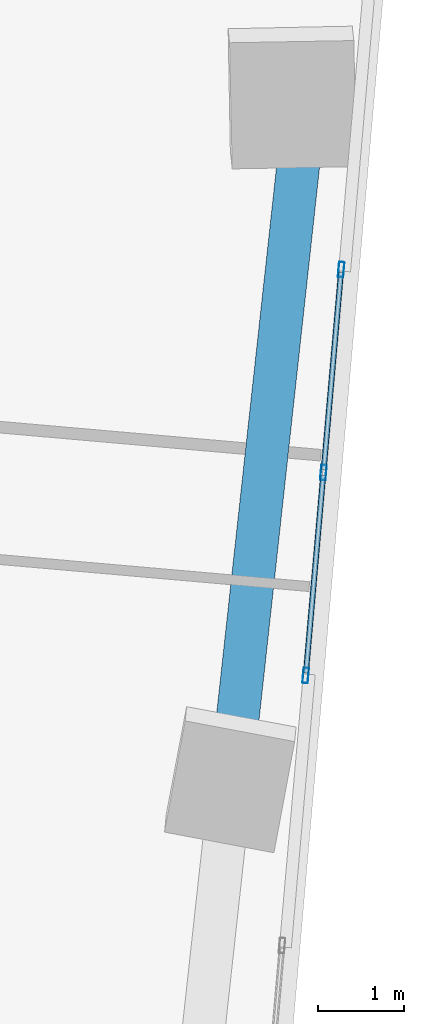
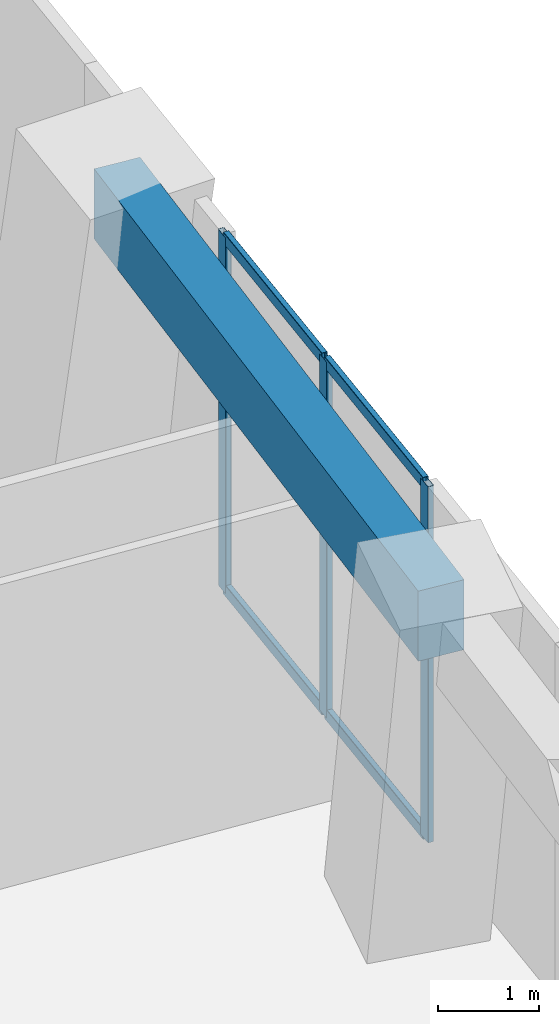
# One storey, part 12 of 24: 7 members, 1 beam, 1 element without a shape of its own.
"""IFC4 building model written with IfcOpenShell, lengths in metres."""

import ifcopenshell
import ifcopenshell.guid

model = None  # the IFC model being written
_history = None  # IfcOwnerHistory: only IFC2X3 demands one
_inside = {}  # id of a spatial element -> (the spatial element, [elements in it])
_under = {}  # id of a project, library or spatial element -> (it, [spatial elements below it])
_declared = {}  # id of a project -> (the project, [libraries it declares])
_typed = {}  # id of a type object -> (the type object, [elements of that type])
_made_of = {}  # id of a material, layer set ... -> (it, [elements and type objects made of it])


def new_model(schema):
    """Start an empty IFC model of exactly this schema.

    Asked for "IFC4X3", IfcOpenShell would pick the latest addendum, in which some entities
    have other attributes; the version numbers below select the first issue.
    IFC2X3 requires an IfcOwnerHistory on every rooted entity: one is made here for all.
    """
    global model, _history
    if schema == "IFC4X3":
        model = ifcopenshell.file(schema_version=(4, 3, 0, 0))
    else:
        model = ifcopenshell.file(schema=schema)
    _inside.clear()
    _under.clear()
    _declared.clear()
    _typed.clear()
    _made_of.clear()
    _history = None
    if model.schema == "IFC2X3":
        org = make("IfcOrganization", Name="unknown")
        user = make(
            "IfcPersonAndOrganization",
            ThePerson=make("IfcPerson", FamilyName="unknown"),
            TheOrganization=org,
        )
        app = make(
            "IfcApplication",
            ApplicationDeveloper=org,
            Version="unknown",
            ApplicationFullName="unknown",
            ApplicationIdentifier="unknown",
        )
        _history = make(
            "IfcOwnerHistory",
            OwningUser=user,
            OwningApplication=app,
            ChangeAction="ADDED",
            CreationDate=0,
        )
    return model


def make(cls, **values):
    """One entity of the class cls with the attributes given. An attribute that is None is left unset."""
    return model.create_entity(
        cls, **{name: value for name, value in values.items() if value is not None}
    )


def rooted(cls, **values):
    """An entity with a GlobalId (a new one), such as an element, a storey or a relation."""
    return make(cls, GlobalId=ifcopenshell.guid.new(), OwnerHistory=_history, **values)


def si_unit(unit_type, name, prefix=None):
    """IfcSIUnit, for example si_unit("LENGTHUNIT", "METRE", prefix="MILLI")."""
    return make("IfcSIUnit", UnitType=unit_type, Prefix=prefix, Name=name)


def assignment(units):
    """IfcUnitAssignment: the units of a project."""
    return None if units is None else make("IfcUnitAssignment", Units=units)


def point(xyz):
    """IfcCartesianPoint."""
    return None if xyz is None else make("IfcCartesianPoint", Coordinates=xyz)


def direction(xyz):
    """IfcDirection."""
    return None if xyz is None else make("IfcDirection", DirectionRatios=xyz)


def frame(location, z_axis=None, x_axis=None):
    """IfcAxis2Placement3D, a coordinate frame: its origin and axes. An axis left out is left unset."""
    return make(
        "IfcAxis2Placement3D",
        Location=point(location),
        Axis=direction(z_axis),
        RefDirection=direction(x_axis),
    )


def frame_2d(location, x_axis=None):
    """IfcAxis2Placement2D, a coordinate frame in the plane: its origin and x axis."""
    return make(
        "IfcAxis2Placement2D", Location=point(location), RefDirection=direction(x_axis)
    )


def origin():
    """The frame at (0, 0, 0) with its axes left unset."""
    return frame((0.0, 0.0, 0.0))


def origin_2d():
    """The frame at (0, 0) in the plane with its x axis left unset."""
    return frame_2d((0.0, 0.0))


def place(relative_to, where):
    """IfcLocalPlacement: puts the frame where relative to a parent placement (None: the world)."""
    return make(
        "IfcLocalPlacement", PlacementRelTo=relative_to, RelativePlacement=where
    )


def context(
    kind, dimensions, precision=None, world=None, true_north=None, identifier=None
):
    """IfcGeometricRepresentationContext, for example the 3D "Model" context."""
    return make(
        "IfcGeometricRepresentationContext",
        ContextIdentifier=identifier,
        ContextType=kind,
        CoordinateSpaceDimension=dimensions,
        Precision=precision,
        WorldCoordinateSystem=world,
        TrueNorth=true_north,
    )


def subcontext(parent, identifier, kind, view, scale=None):
    """IfcGeometricRepresentationSubContext, for example "Body" below "Model"."""
    return make(
        "IfcGeometricRepresentationSubContext",
        ContextIdentifier=identifier,
        ContextType=kind,
        ParentContext=parent,
        TargetScale=scale,
        TargetView=view,
    )


def project(units=None, contexts=None):
    """IfcProject with its units and contexts."""
    return rooted(
        "IfcProject",
        Name="project",
        RepresentationContexts=contexts,
        UnitsInContext=assignment(units),
    )


def spatial(cls, under=None, at=None, **own):
    """A site, building, storey or space (cls), placed at a placement, below another one or the project."""
    s = rooted(cls, ObjectPlacement=at, **own)
    if under is not None:
        _under.setdefault(under.id(), (under, []))[1].append(s)
    return s


def profile(cls, at=None, kind="AREA", **sizes):
    """A parametric profile (cls). Its sizes go by their IFC names, for example OverallWidth=200.0."""
    return make(cls, ProfileType=kind, Position=at, **sizes)


def rectangle(**sizes):
    """IfcRectangleProfileDef."""
    return profile("IfcRectangleProfileDef", **sizes)


def hollow_rectangle(**sizes):
    """IfcRectangleHollowProfileDef."""
    return profile("IfcRectangleHollowProfileDef", **sizes)


def extrude(swept, where, along, depth):
    """IfcExtrudedAreaSolid: the profile swept, set in the frame where, extruded along a direction by depth."""
    return make(
        "IfcExtrudedAreaSolid",
        SweptArea=swept,
        Position=where,
        ExtrudedDirection=direction(along),
        Depth=depth,
    )


def shape(context_of_items, identifier, shape_type, items):
    """IfcShapeRepresentation: the items that make up one representation, for example the "Body"."""
    return make(
        "IfcShapeRepresentation",
        ContextOfItems=context_of_items,
        RepresentationIdentifier=identifier,
        RepresentationType=shape_type,
        Items=items,
    )


def source(mapping_origin, context_of_items, identifier, shape_type, items):
    """IfcRepresentationMap: a shape defined once, which mapped items show again and again."""
    return make(
        "IfcRepresentationMap",
        MappingOrigin=mapping_origin,
        MappedRepresentation=shape(context_of_items, identifier, shape_type, items),
    )


def transform(
    local_origin,
    x_axis=None,
    y_axis=None,
    z_axis=None,
    scale=None,
    scale2=None,
    scale3=None,
    uniform=True,
):
    """IfcCartesianTransformationOperator3D, or its non-uniform kind. x_axis, y_axis, z_axis: its Axis1, 2, 3."""
    if uniform:
        return make(
            "IfcCartesianTransformationOperator3D",
            Axis1=direction(x_axis),
            Axis2=direction(y_axis),
            LocalOrigin=point(local_origin),
            Scale=scale,
            Axis3=direction(z_axis),
        )
    return make(
        "IfcCartesianTransformationOperator3DnonUniform",
        Axis1=direction(x_axis),
        Axis2=direction(y_axis),
        LocalOrigin=point(local_origin),
        Scale=scale,
        Axis3=direction(z_axis),
        Scale2=scale2,
        Scale3=scale3,
    )


def mapped(mapping_source, mapping_target):
    """IfcMappedItem: shows the shape of a source again, moved by a transform."""
    return make(
        "IfcMappedItem", MappingSource=mapping_source, MappingTarget=mapping_target
    )


def material(Name=None, Category=None):
    """IfcMaterial."""
    return make("IfcMaterial", Name=Name, Category=Category)


def material_profile(
    of_material, cross_section, Name=None, Category=None, Priority=None
):
    """IfcMaterialProfile: a cross section and its material."""
    return make(
        "IfcMaterialProfile",
        Name=Name,
        Material=of_material,
        Profile=cross_section,
        Priority=Priority,
        Category=Category,
    )


def profile_set(profiles, Name=None, composite=None):
    """IfcMaterialProfileSet."""
    return make(
        "IfcMaterialProfileSet",
        Name=Name,
        MaterialProfiles=profiles,
        CompositeProfile=composite,
    )


def made_of(thing, what):
    """Note that an element or type object is made of a material, layer set ...; save() writes the relation."""
    if what is not None:
        _made_of.setdefault(what.id(), (what, []))[1].append(thing)
    return thing


def type_object(cls, material=None, **own):
    """A type object (cls), such as IfcWallType, which elements share."""
    return made_of(rooted(cls, **own), material)


def element(
    cls,
    number,
    at=None,
    inside=None,
    cuts=None,
    type_object=None,
    material=None,
    context=None,
    identifier="Body",
    shape_type=None,
    held_by="IfcProductDefinitionShape",
    body=None,
    shapes=None,
    **own,
):
    """One element of the class cls, such as IfcWall. Its Tag is "e" and its number.

    at: its placement. inside: the storey or other place that contains it. cuts: it is an
    opening in that element (IfcRelVoidsElement). A single representation is given by context,
    identifier, shape_type and body (its items); several are given by shapes. held_by: the class
    of the entity that holds the representations. save() writes the other relations.
    """
    e = rooted(cls, Tag="e%d" % number, ObjectPlacement=at, **own)
    if body is not None:
        shapes = [shape(context, identifier, shape_type, body)]
    if shapes is not None:
        e.Representation = make(held_by, Representations=shapes)
    if inside is not None:
        _inside.setdefault(inside.id(), (inside, []))[1].append(e)
    if cuts is not None:
        rooted(
            "IfcRelVoidsElement", RelatingBuildingElement=cuts, RelatedOpeningElement=e
        )
    if type_object is not None:
        _typed.setdefault(type_object.id(), (type_object, []))[1].append(e)
    return made_of(e, material)


def aggregate(whole, parts):
    """IfcRelAggregates: a whole, such as a stair, and the parts it consists of."""
    return rooted("IfcRelAggregates", RelatingObject=whole, RelatedObjects=parts)


def save(model, path):
    """Write the relations noted so far, then the file.

    IfcRelAggregates (storeys below a building ...), IfcRelContainedInSpatialStructure (elements
    in a storey), IfcRelDefinesByType, IfcRelAssociatesMaterial and IfcRelDeclares: one each for
    every whole, place, type object, material and project.
    """
    for whole, parts in _under.values():
        aggregate(whole, parts)
    for where, things in _inside.values():
        rooted(
            "IfcRelContainedInSpatialStructure",
            RelatedElements=things,
            RelatingStructure=where,
        )
    for kind, things in _typed.values():
        rooted("IfcRelDefinesByType", RelatedObjects=things, RelatingType=kind)
    for what, things in _made_of.values():
        rooted("IfcRelAssociatesMaterial", RelatedObjects=things, RelatingMaterial=what)
    for by, libraries in _declared.values():
        rooted("IfcRelDeclares", RelatingContext=by, RelatedDefinitions=libraries)
    model.write(path)


model = new_model("IFC4")

# Units and contexts
model_context = context("Model", 3, precision=1e-05, world=origin(), true_north=direction((0.0, 1.0)))
body_context = subcontext(model_context, "Body", "Model", "MODEL_VIEW")
ifc_project = project(units=[si_unit("LENGTHUNIT", "METRE"), si_unit("AREAUNIT", "SQUARE_METRE"), si_unit("VOLUMEUNIT", "CUBIC_METRE"), si_unit("PLANEANGLEUNIT", "RADIAN"), si_unit("MASSUNIT", "GRAM", prefix="KILO")], contexts=[model_context])

# Site, building, storey
site_placement = place(None, origin())
site = spatial("IfcSite", under=ifc_project, at=site_placement, CompositionType="ELEMENT")
building_placement = place(site_placement, origin())
building = spatial("IfcBuilding", under=site, at=building_placement, Name="Torre Montelarca", CompositionType="ELEMENT")
storey_placement = place(building_placement, frame((0.0, 0.0, 52.0)))
storey = spatial("IfcBuildingStorey", under=building, at=storey_placement, Name="L11", CompositionType="ELEMENT", Elevation=52.0)

# Beam
ifc_material_1 = material(Name="Concrete C55/67", Category="concrete")
ifc_material_profile_1 = material_profile(ifc_material_1, rectangle(XDim=0.5, YDim=0.85009765625, at=origin_2d()), Name="RCB500X850", Category="concrete")
ifc_profile_set_1 = profile_set([ifc_material_profile_1], Name="Concrete C55/67")
beam_type = type_object("IfcBeamType", Name="BM-SP-RC850-EXT", PredefinedType="SPANDREL", material=ifc_profile_set_1)
shared_shape_1 = source(origin(), body_context, "Body", "SweptSolid", [
    extrude(rectangle(XDim=0.5, YDim=0.85009765625, at=origin_2d()), origin(), (0.0, 0.0, 1.0), 8.0),
])
beam_placement = place(storey_placement, frame((59.771240234375, 27.80859375, 4.135009765625), z_axis=(0.10885711391, 0.994057407171, 0.0), x_axis=(-0.994057407171, 0.10885711391, 0.0)))
element("IfcBeam", 1, at=beam_placement, inside=storey, type_object=beam_type, Name="L11 Grid Girder Y 32.0-40.0 at X=60.0", PredefinedType="SPANDREL", context=body_context, shape_type="MappedRepresentation", body=[
    mapped(shared_shape_1, transform((0.0, 0.0, 0.0), scale=1.0)),
])

# Curtain wall, members
ifc_material_2 = material(Name="Insulated low-E laminated glass", Category="glass")
curtain_wall_type = type_object("IfcCurtainWallType", Name="CW-SYS-Z1", PredefinedType="USERDEFINED", material=ifc_material_2)
curtain_wall_placement = place(storey_placement, origin())
curtain_wall = element("IfcCurtainWall", 2, at=curtain_wall_placement, inside=storey, type_object=curtain_wall_type, Name="L11 Curtain Wall Run CW-T3-L11-E06-B2", ObjectType="UNITISED GLAZING", PredefinedType="USERDEFINED")
ifc_material_3 = material(Name="Anodised aluminium AA 6063-T6", Category="aluminium")
ifc_material_profile_2 = material_profile(ifc_material_3, hollow_rectangle(XDim=0.06494140625, YDim=0.179931640625, WallThickness=0.00390625, InnerFilletRadius=0.00390625, OuterFilletRadius=0.008056640625, at=origin_2d()), Name="ALU65X180X4", Category="aluminium")
ifc_profile_set_2 = profile_set([ifc_material_profile_2], Name="Anodised aluminium AA 6063-T6")
member_type_1 = type_object("IfcMemberType", Name="CWM-ALU180", PredefinedType="MULLION", material=ifc_profile_set_2)
shared_shape_2 = source(origin(), body_context, "Body", "SweptSolid", [
    extrude(hollow_rectangle(XDim=0.06494140625, YDim=0.179931640625, WallThickness=0.00390625, InnerFilletRadius=0.00390625, OuterFilletRadius=0.008056640625, at=origin_2d()), origin(), (0.0, 0.0, 1.0), 4.320068359375),
])
member_1_placement = place(storey_placement, frame((60.721923828125, 29.735595703125, 0.0), z_axis=(0.0, 0.0, 1.0), x_axis=(-0.996194235078, 0.08716103486, 0.0)))
member_1 = element("IfcMember", 3, at=member_1_placement, type_object=member_type_1, Name="CW mullion 1", PredefinedType="MULLION", context=body_context, shape_type="MappedRepresentation", body=[
    mapped(shared_shape_2, transform((0.0, 0.0, 0.0), scale=1.0)),
])
member_2_placement = place(storey_placement, frame((60.92919921875, 32.10546875, 0.0), z_axis=(0.0, 0.0, 1.0), x_axis=(-0.996194235078, 0.08716103486, 0.0)))
member_2 = element("IfcMember", 4, at=member_2_placement, type_object=member_type_1, Name="CW mullion 2", PredefinedType="MULLION", context=body_context, shape_type="MappedRepresentation", body=[
    mapped(shared_shape_2, transform((0.0, 0.0, 0.0), scale=1.0)),
])
member_3_placement = place(storey_placement, frame((61.136474609375, 34.4755859375, 0.0), z_axis=(0.0, 0.0, 1.0), x_axis=(-0.996194235078, 0.08716103486, 0.0)))
member_3 = element("IfcMember", 5, at=member_3_placement, type_object=member_type_1, Name="CW mullion 3", PredefinedType="MULLION", context=body_context, shape_type="MappedRepresentation", body=[
    mapped(shared_shape_2, transform((0.0, 0.0, 0.0), scale=1.0)),
])
ifc_material_profile_3 = material_profile(ifc_material_3, hollow_rectangle(XDim=0.06494140625, YDim=0.139892578125, WallThickness=0.00390625, InnerFilletRadius=0.00390625, OuterFilletRadius=0.008056640625, at=origin_2d()), Name="ALU65X140X4", Category="aluminium")
ifc_profile_set_3 = profile_set([ifc_material_profile_3], Name="Anodised aluminium AA 6063-T6")
member_type_2 = type_object("IfcMemberType", Name="CWT-ALU140", PredefinedType="USERDEFINED", material=ifc_profile_set_3)
shared_shape_3 = source(origin(), body_context, "Body", "SweptSolid", [
    extrude(hollow_rectangle(XDim=0.06494140625, YDim=0.139892578125, WallThickness=0.00390625, InnerFilletRadius=0.00390625, OuterFilletRadius=0.008056640625, at=origin_2d()), origin(), (0.0, 0.0, 1.0), 2.314208984375),
])
member_4_placement = place(storey_placement, frame((60.724609375, 29.767822265625, 0.032470703125), z_axis=(0.087139468031, 0.996196121811, 0.0), x_axis=(-0.996196121811, 0.087139468031, 0.0)))
member_4 = element("IfcMember", 6, at=member_4_placement, type_object=member_type_2, Name="CW transom 1.1", ObjectType="TRANSOM", PredefinedType="USERDEFINED", context=body_context, shape_type="MappedRepresentation", body=[
    mapped(shared_shape_3, transform((0.0, 0.0, 0.0), scale=1.0)),
])
member_5_placement = place(storey_placement, frame((60.724609375, 29.767822265625, 4.28759765625), z_axis=(0.087139468031, 0.996196121811, 0.0), x_axis=(-0.996196121811, 0.087139468031, 0.0)))
member_5 = element("IfcMember", 7, at=member_5_placement, type_object=member_type_2, Name="CW transom 1.2", ObjectType="TRANSOM", PredefinedType="USERDEFINED", context=body_context, shape_type="MappedRepresentation", body=[
    mapped(shared_shape_3, transform((0.0, 0.0, 0.0), scale=1.0)),
])
member_6_placement = place(storey_placement, frame((60.93212890625, 32.137939453125, 0.032470703125), z_axis=(0.087139468031, 0.996196121811, 0.0), x_axis=(-0.996196121811, 0.087139468031, 0.0)))
member_6 = element("IfcMember", 8, at=member_6_placement, type_object=member_type_2, Name="CW transom 2.1", ObjectType="TRANSOM", PredefinedType="USERDEFINED", context=body_context, shape_type="MappedRepresentation", body=[
    mapped(shared_shape_3, transform((0.0, 0.0, 0.0), scale=1.0)),
])
member_7_placement = place(storey_placement, frame((60.93212890625, 32.137939453125, 4.28759765625), z_axis=(0.087139468031, 0.996196121811, 0.0), x_axis=(-0.996196121811, 0.087139468031, 0.0)))
member_7 = element("IfcMember", 9, at=member_7_placement, type_object=member_type_2, Name="CW transom 2.2", ObjectType="TRANSOM", PredefinedType="USERDEFINED", context=body_context, shape_type="MappedRepresentation", body=[
    mapped(shared_shape_3, transform((0.0, 0.0, 0.0), scale=1.0)),
])
aggregate(curtain_wall, [member_1, member_2, member_3, member_4, member_5, member_6, member_7])

save(model, "model.ifc")
